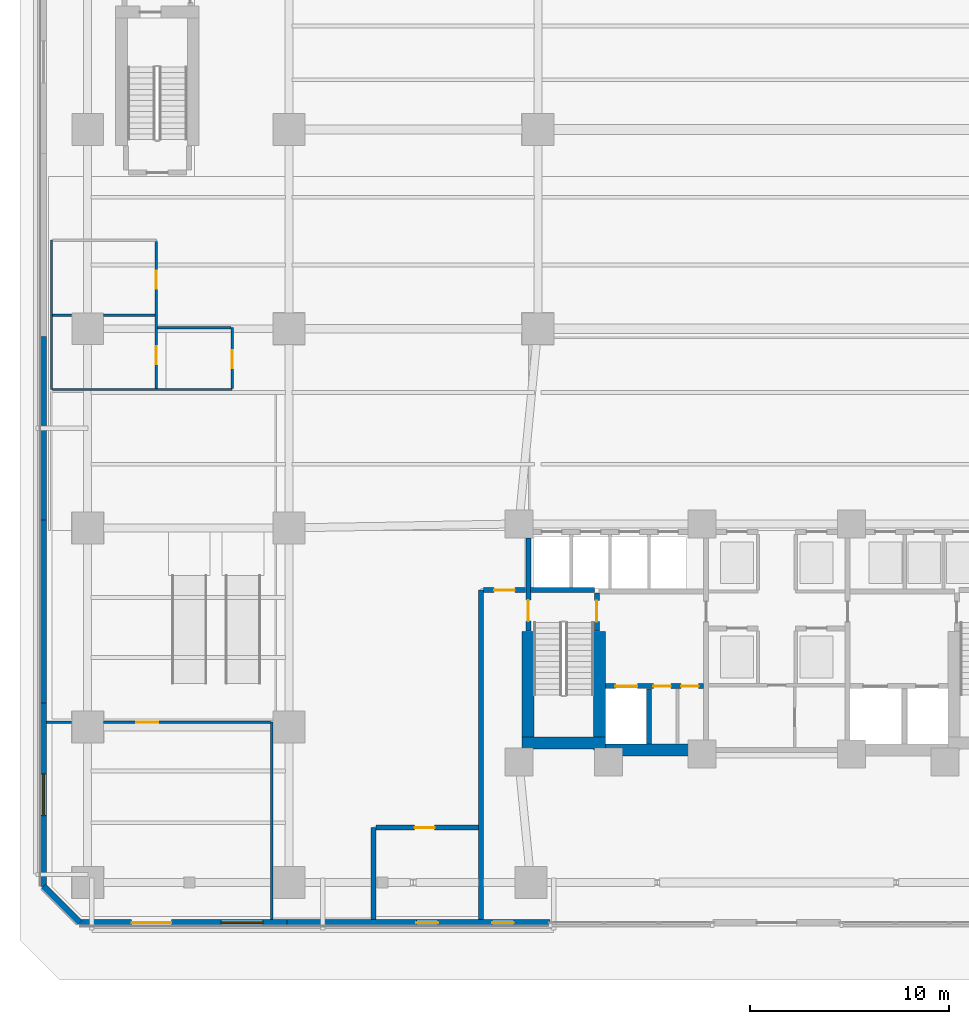
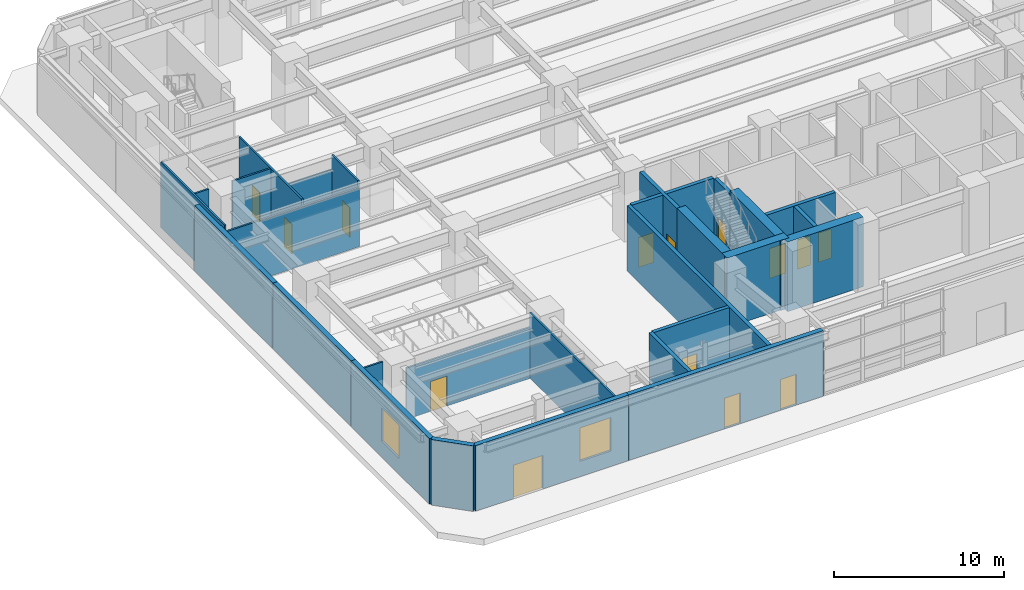
# One storey, part 13 of 26: 29 walls, 14 doors, 2 windows, 16 openings.
"""IFC4 building model written with IfcOpenShell, lengths in metres."""

import ifcopenshell
import ifcopenshell.guid

model = None  # the IFC model being written
_history = None  # IfcOwnerHistory: only IFC2X3 demands one
_inside = {}  # id of a spatial element -> (the spatial element, [elements in it])
_under = {}  # id of a project, library or spatial element -> (it, [spatial elements below it])
_declared = {}  # id of a project -> (the project, [libraries it declares])
_typed = {}  # id of a type object -> (the type object, [elements of that type])
_made_of = {}  # id of a material, layer set ... -> (it, [elements and type objects made of it])


def new_model(schema):
    """Start an empty IFC model of exactly this schema.

    Asked for "IFC4X3", IfcOpenShell would pick the latest addendum, in which some entities
    have other attributes; the version numbers below select the first issue.
    IFC2X3 requires an IfcOwnerHistory on every rooted entity: one is made here for all.
    """
    global model, _history
    if schema == "IFC4X3":
        model = ifcopenshell.file(schema_version=(4, 3, 0, 0))
    else:
        model = ifcopenshell.file(schema=schema)
    _inside.clear()
    _under.clear()
    _declared.clear()
    _typed.clear()
    _made_of.clear()
    _history = None
    if model.schema == "IFC2X3":
        org = make("IfcOrganization", Name="unknown")
        user = make(
            "IfcPersonAndOrganization",
            ThePerson=make("IfcPerson", FamilyName="unknown"),
            TheOrganization=org,
        )
        app = make(
            "IfcApplication",
            ApplicationDeveloper=org,
            Version="unknown",
            ApplicationFullName="unknown",
            ApplicationIdentifier="unknown",
        )
        _history = make(
            "IfcOwnerHistory",
            OwningUser=user,
            OwningApplication=app,
            ChangeAction="ADDED",
            CreationDate=0,
        )
    return model


def make(cls, **values):
    """One entity of the class cls with the attributes given. An attribute that is None is left unset."""
    return model.create_entity(
        cls, **{name: value for name, value in values.items() if value is not None}
    )


def rooted(cls, **values):
    """An entity with a GlobalId (a new one), such as an element, a storey or a relation."""
    return make(cls, GlobalId=ifcopenshell.guid.new(), OwnerHistory=_history, **values)


def si_unit(unit_type, name, prefix=None):
    """IfcSIUnit, for example si_unit("LENGTHUNIT", "METRE", prefix="MILLI")."""
    return make("IfcSIUnit", UnitType=unit_type, Prefix=prefix, Name=name)


def assignment(units):
    """IfcUnitAssignment: the units of a project."""
    return None if units is None else make("IfcUnitAssignment", Units=units)


def point(xyz):
    """IfcCartesianPoint."""
    return None if xyz is None else make("IfcCartesianPoint", Coordinates=xyz)


def direction(xyz):
    """IfcDirection."""
    return None if xyz is None else make("IfcDirection", DirectionRatios=xyz)


def frame(location, z_axis=None, x_axis=None):
    """IfcAxis2Placement3D, a coordinate frame: its origin and axes. An axis left out is left unset."""
    return make(
        "IfcAxis2Placement3D",
        Location=point(location),
        Axis=direction(z_axis),
        RefDirection=direction(x_axis),
    )


def frame_2d(location, x_axis=None):
    """IfcAxis2Placement2D, a coordinate frame in the plane: its origin and x axis."""
    return make(
        "IfcAxis2Placement2D", Location=point(location), RefDirection=direction(x_axis)
    )


def origin():
    """The frame at (0, 0, 0) with its axes left unset."""
    return frame((0.0, 0.0, 0.0))


def place(relative_to, where):
    """IfcLocalPlacement: puts the frame where relative to a parent placement (None: the world)."""
    return make(
        "IfcLocalPlacement", PlacementRelTo=relative_to, RelativePlacement=where
    )


def context(
    kind, dimensions, precision=None, world=None, true_north=None, identifier=None
):
    """IfcGeometricRepresentationContext, for example the 3D "Model" context."""
    return make(
        "IfcGeometricRepresentationContext",
        ContextIdentifier=identifier,
        ContextType=kind,
        CoordinateSpaceDimension=dimensions,
        Precision=precision,
        WorldCoordinateSystem=world,
        TrueNorth=true_north,
    )


def subcontext(parent, identifier, kind, view, scale=None):
    """IfcGeometricRepresentationSubContext, for example "Body" below "Model"."""
    return make(
        "IfcGeometricRepresentationSubContext",
        ContextIdentifier=identifier,
        ContextType=kind,
        ParentContext=parent,
        TargetScale=scale,
        TargetView=view,
    )


def project(units=None, contexts=None):
    """IfcProject with its units and contexts."""
    return rooted(
        "IfcProject",
        Name="project",
        RepresentationContexts=contexts,
        UnitsInContext=assignment(units),
    )


def spatial(cls, under=None, at=None, **own):
    """A site, building, storey or space (cls), placed at a placement, below another one or the project."""
    s = rooted(cls, ObjectPlacement=at, **own)
    if under is not None:
        _under.setdefault(under.id(), (under, []))[1].append(s)
    return s


def profile(cls, at=None, kind="AREA", **sizes):
    """A parametric profile (cls). Its sizes go by their IFC names, for example OverallWidth=200.0."""
    return make(cls, ProfileType=kind, Position=at, **sizes)


def rectangle(**sizes):
    """IfcRectangleProfileDef."""
    return profile("IfcRectangleProfileDef", **sizes)


def extrude(swept, where, along, depth):
    """IfcExtrudedAreaSolid: the profile swept, set in the frame where, extruded along a direction by depth."""
    return make(
        "IfcExtrudedAreaSolid",
        SweptArea=swept,
        Position=where,
        ExtrudedDirection=direction(along),
        Depth=depth,
    )


def shape(context_of_items, identifier, shape_type, items):
    """IfcShapeRepresentation: the items that make up one representation, for example the "Body"."""
    return make(
        "IfcShapeRepresentation",
        ContextOfItems=context_of_items,
        RepresentationIdentifier=identifier,
        RepresentationType=shape_type,
        Items=items,
    )


def material(Name=None, Category=None):
    """IfcMaterial."""
    return make("IfcMaterial", Name=Name, Category=Category)


def layer(
    of_material, thickness, ventilated=None, Name=None, Category=None, Priority=None
):
    """IfcMaterialLayer: one layer of a wall or slab, of a material (None: an air gap)."""
    return make(
        "IfcMaterialLayer",
        Material=of_material,
        LayerThickness=thickness,
        IsVentilated=ventilated,
        Name=Name,
        Category=Category,
        Priority=Priority,
    )


def layer_set(layers, Name=None):
    """IfcMaterialLayerSet."""
    return make("IfcMaterialLayerSet", MaterialLayers=layers, LayerSetName=Name)


def made_of(thing, what):
    """Note that an element or type object is made of a material, layer set ...; save() writes the relation."""
    if what is not None:
        _made_of.setdefault(what.id(), (what, []))[1].append(thing)
    return thing


def type_object(cls, material=None, **own):
    """A type object (cls), such as IfcWallType, which elements share."""
    return made_of(rooted(cls, **own), material)


def element(
    cls,
    number,
    at=None,
    inside=None,
    cuts=None,
    type_object=None,
    material=None,
    context=None,
    identifier="Body",
    shape_type=None,
    held_by="IfcProductDefinitionShape",
    body=None,
    shapes=None,
    **own,
):
    """One element of the class cls, such as IfcWall. Its Tag is "e" and its number.

    at: its placement. inside: the storey or other place that contains it. cuts: it is an
    opening in that element (IfcRelVoidsElement). A single representation is given by context,
    identifier, shape_type and body (its items); several are given by shapes. held_by: the class
    of the entity that holds the representations. save() writes the other relations.
    """
    e = rooted(cls, Tag="e%d" % number, ObjectPlacement=at, **own)
    if body is not None:
        shapes = [shape(context, identifier, shape_type, body)]
    if shapes is not None:
        e.Representation = make(held_by, Representations=shapes)
    if inside is not None:
        _inside.setdefault(inside.id(), (inside, []))[1].append(e)
    if cuts is not None:
        rooted(
            "IfcRelVoidsElement", RelatingBuildingElement=cuts, RelatedOpeningElement=e
        )
    if type_object is not None:
        _typed.setdefault(type_object.id(), (type_object, []))[1].append(e)
    return made_of(e, material)


def fill(opening, filler):
    """IfcRelFillsElement: the door or window that sits in an opening."""
    return rooted(
        "IfcRelFillsElement",
        RelatingOpeningElement=opening,
        RelatedBuildingElement=filler,
    )


def aggregate(whole, parts):
    """IfcRelAggregates: a whole, such as a stair, and the parts it consists of."""
    return rooted("IfcRelAggregates", RelatingObject=whole, RelatedObjects=parts)


def save(model, path):
    """Write the relations noted so far, then the file.

    IfcRelAggregates (storeys below a building ...), IfcRelContainedInSpatialStructure (elements
    in a storey), IfcRelDefinesByType, IfcRelAssociatesMaterial and IfcRelDeclares: one each for
    every whole, place, type object, material and project.
    """
    for whole, parts in _under.values():
        aggregate(whole, parts)
    for where, things in _inside.values():
        rooted(
            "IfcRelContainedInSpatialStructure",
            RelatedElements=things,
            RelatingStructure=where,
        )
    for kind, things in _typed.values():
        rooted("IfcRelDefinesByType", RelatedObjects=things, RelatingType=kind)
    for what, things in _made_of.values():
        rooted("IfcRelAssociatesMaterial", RelatedObjects=things, RelatingMaterial=what)
    for by, libraries in _declared.values():
        rooted("IfcRelDeclares", RelatingContext=by, RelatedDefinitions=libraries)
    model.write(path)


model = new_model("IFC4")

# Units and contexts
model_context = context("Model", 3, precision=1e-05, world=origin(), true_north=direction((0.0, 1.0)))
body_context = subcontext(model_context, "Body", "Model", "MODEL_VIEW")
ifc_project = project(units=[si_unit("LENGTHUNIT", "METRE"), si_unit("AREAUNIT", "SQUARE_METRE"), si_unit("VOLUMEUNIT", "CUBIC_METRE"), si_unit("PLANEANGLEUNIT", "RADIAN"), si_unit("MASSUNIT", "GRAM", prefix="KILO")], contexts=[model_context])

# Site, building, storey
site_placement = place(None, origin())
site = spatial("IfcSite", under=ifc_project, at=site_placement, CompositionType="ELEMENT")
building_placement = place(site_placement, origin())
building = spatial("IfcBuilding", under=site, at=building_placement, Name="Quenlor Broadcast Tower", CompositionType="ELEMENT")
storey_placement = place(building_placement, origin())
storey = spatial("IfcBuildingStorey", under=building, at=storey_placement, Name="L00", CompositionType="ELEMENT", Elevation=0.0)

# Walls
ifc_material_1 = material(Name="Concrete C65/80", Category="concrete")
ifc_layer_1 = layer(ifc_material_1, 0.60009765625)
ifc_layer_set_1 = layer_set([ifc_layer_1], Name="Core Concrete C65/80 Shear Wall 600")
wall_type_1 = type_object("IfcWallType", Name="Core Concrete C65/80 Shear Wall 600", PredefinedType="SHEAR", material=ifc_layer_set_1)
wall_1_placement = place(storey_placement, frame((-12.800048828125, -15.800048828125, 0.0), z_axis=(0.0, 0.0, 1.0), x_axis=(1.0, 0.0, 0.0)))
element("IfcWall", 1, at=wall_1_placement, inside=storey, type_object=wall_type_1, Name="L00 Core Shear Wall WS-W1", PredefinedType="SHEAR", context=body_context, shape_type="SweptSolid", body=[
    extrude(rectangle(XDim=4.199951171875, YDim=0.60009765625, at=frame_2d((2.10009765625, 0.0))), origin(), (0.0, 0.0, 1.0), 5.0),
])
wall_2_placement = place(storey_placement, frame((-8.89990234375, -16.14990234375, 0.0), z_axis=(0.0, 0.0, 1.0), x_axis=(1.0, 0.0, 0.0)))
element("IfcWall", 2, at=wall_2_placement, inside=storey, type_object=wall_type_1, Name="L00 Core Shear Wall WS-W2", PredefinedType="SHEAR", context=body_context, shape_type="SweptSolid", body=[
    extrude(rectangle(XDim=5.14990234375, YDim=0.60009765625, at=frame_2d((2.574951171875, 0.0))), origin(), (0.0, 0.0, 1.0), 5.0),
])
wall_3_placement = place(storey_placement, frame((-12.5, -15.800048828125, 0.0), z_axis=(0.0, 0.0, 1.0), x_axis=(0.0, 1.0, 0.0)))
element("IfcWall", 3, at=wall_3_placement, inside=storey, type_object=wall_type_1, Name="L00 Core Shear Wall WF-W", PredefinedType="SHEAR", context=body_context, shape_type="SweptSolid", body=[
    extrude(rectangle(XDim=5.60009765625, YDim=0.60009765625, at=frame_2d((2.800048828125, 0.0))), origin(), (0.0, 0.0, 1.0), 5.0),
])
wall_4_placement = place(storey_placement, frame((-8.89990234375, -16.14990234375, 0.0), z_axis=(0.0, 0.0, 1.0), x_axis=(0.0, 1.0, 0.0)))
element("IfcWall", 4, at=wall_4_placement, inside=storey, type_object=wall_type_1, Name="L00 Core Shear Wall WI-W", PredefinedType="SHEAR", context=body_context, shape_type="SweptSolid", body=[
    extrude(rectangle(XDim=5.949951171875, YDim=0.60009765625, at=frame_2d((2.97509765625, 0.0))), origin(), (0.0, 0.0, 1.0), 5.0),
])

# Wall, opening, door
ifc_material_2 = material(Name="Concrete C40/50", Category="concrete")
ifc_layer_2 = layer(ifc_material_2, 0.25)
ifc_layer_set_2 = layer_set([ifc_layer_2], Name="Fire Rated Concrete C40/50 Core Wall 250")
wall_type_2 = type_object("IfcWallType", Name="Fire Rated Concrete C40/50 Core Wall 250", PredefinedType="PARTITIONING", material=ifc_layer_set_2)
wall_5_placement = place(storey_placement, frame((-9.0400390625, -10.179931640625, 0.0), z_axis=(0.0, 0.0, 1.0), x_axis=(0.0, 1.0, 0.0)))
wall_5 = element("IfcWall", 5, at=wall_5_placement, inside=storey, type_object=wall_type_2, Name="L00 Interior Wall CW-ST1-DR", PredefinedType="PARTITIONING", context=body_context, shape_type="SweptSolid", body=[
    extrude(rectangle(XDim=1.89990234375, YDim=0.25, at=frame_2d((0.949951171875, 0.0))), origin(), (0.0, 0.0, 1.0), 4.699951171875),
])
opening_1_placement = place(wall_5_placement, frame((0.47998046875, 0.0, 0.0)))
opening_1 = element("IfcOpeningElement", 6, at=opening_1_placement, cuts=wall_5, Name="Opening FD-1", PredefinedType="OPENING", context=body_context, shape_type="SweptSolid", body=[
    extrude(rectangle(XDim=1.050048828125, YDim=2.14990234375, at=frame_2d((0.52490234375, 1.074951171875))), frame((0.0, 0.135009765625, 0.0), z_axis=(0.0, -1.0, 0.0), x_axis=(1.0, 0.0, 0.0)), (0.0, 0.0, 1.0), 0.27001953125),
])
ifc_material_3 = material(Name="Fire Rated Steel Door Leaf", Category="steel")
door_type_1 = type_object("IfcDoorType", Name="Fire Isolated Stair Door 1050x2150", OperationType="NOTDEFINED", PredefinedType="DOOR", material=ifc_material_3)
door_1_placement = place(opening_1_placement, origin())
door_1 = element("IfcDoor", 7, at=door_1_placement, inside=storey, type_object=door_type_1, Name="L00 Door DR-ST1", OperationType="SINGLE_SWING_LEFT", OverallHeight=2.14990234375, OverallWidth=1.050048828125, PredefinedType="DOOR", context=body_context, shape_type="SweptSolid", body=[
    extrude(rectangle(XDim=1.050048828125, YDim=2.14990234375, at=frame_2d((0.52490234375, 1.074951171875))), frame((0.0, 0.02490234375, 0.0), z_axis=(0.0, -1.0, 0.0), x_axis=(1.0, 0.0, 0.0)), (0.0, 0.0, 1.0), 0.050048828125),
])
fill(opening_1, door_1)

# Wall
wall_6_placement = place(storey_placement, frame((-12.3798828125, -8.1201171875, 0.0), z_axis=(0.0, 0.0, 1.0), x_axis=(1.0, 0.0, 0.0)))
element("IfcWall", 8, at=wall_6_placement, inside=storey, type_object=wall_type_2, Name="L00 Interior Wall CW-ST1-N", PredefinedType="PARTITIONING", context=body_context, shape_type="SweptSolid", body=[
    extrude(rectangle(XDim=3.219970703125, YDim=0.25, at=frame_2d((1.60986328125, 0.0))), origin(), (0.0, 0.0, 1.0), 4.699951171875),
])

# Wall, opening, door
wall_7_placement = place(storey_placement, frame((-12.47998046875, -10.179931640625, 0.0), z_axis=(0.0, 0.0, 1.0), x_axis=(0.0, 1.0, 0.0)))
wall_7 = element("IfcWall", 9, at=wall_7_placement, inside=storey, type_object=wall_type_2, Name="L00 Interior Wall CW-ST1-W2", PredefinedType="PARTITIONING", context=body_context, shape_type="SweptSolid", body=[
    extrude(rectangle(XDim=4.677978515625, YDim=0.25, at=frame_2d((2.3388671875, 0.0))), origin(), (0.0, 0.0, 1.0), 4.699951171875),
])
opening_2_placement = place(wall_7_placement, frame((0.5, 0.0, 0.0)))
opening_2 = element("IfcOpeningElement", 10, at=opening_2_placement, cuts=wall_7, Name="Opening FD-1", PredefinedType="OPENING", context=body_context, shape_type="SweptSolid", body=[
    extrude(rectangle(XDim=1.050048828125, YDim=2.14990234375, at=frame_2d((0.52490234375, 1.074951171875))), frame((0.0, 0.135009765625, 0.0), z_axis=(0.0, -1.0, 0.0), x_axis=(1.0, 0.0, 0.0)), (0.0, 0.0, 1.0), 0.27001953125),
])
door_2_placement = place(opening_2_placement, origin())
door_2 = element("IfcDoor", 11, at=door_2_placement, inside=storey, type_object=door_type_1, Name="L00 Exit Stair ST-1 Discharge Door to Exit Passage West", OperationType="SINGLE_SWING_LEFT", OverallHeight=2.14990234375, OverallWidth=1.050048828125, PredefinedType="DOOR", context=body_context, shape_type="SweptSolid", body=[
    extrude(rectangle(XDim=1.050048828125, YDim=2.14990234375, at=frame_2d((0.52490234375, 1.074951171875))), frame((0.0, 0.02490234375, 0.0), z_axis=(0.0, -1.0, 0.0), x_axis=(1.0, 0.0, 0.0)), (0.0, 0.0, 1.0), 0.050048828125),
])
fill(opening_2, door_2)

# Wall, openings, doors
wall_8_placement = place(storey_placement, frame((-8.597900390625, -12.949951171875, 0.0), z_axis=(0.0, 0.0, 1.0), x_axis=(1.0, 0.0, 0.0)))
wall_8 = element("IfcWall", 12, at=wall_8_placement, inside=storey, type_object=wall_type_2, Name="L00 Interior Wall CW-FFW-S", PredefinedType="PARTITIONING", context=body_context, shape_type="SweptSolid", body=[
    extrude(rectangle(XDim=4.91796875, YDim=0.25, at=frame_2d((2.458984375, 0.0))), origin(), (0.0, 0.0, 1.0), 4.699951171875),
])
opening_3_placement = place(wall_8_placement, frame((0.498046875, 0.0, 0.0)))
opening_3 = element("IfcOpeningElement", 13, at=opening_3_placement, cuts=wall_8, Name="Opening LD-FFL-1", PredefinedType="OPENING", context=body_context, shape_type="SweptSolid", body=[
    extrude(rectangle(XDim=1.10009765625, YDim=2.14990234375, at=frame_2d((0.550048828125, 1.074951171875))), frame((0.0, 0.135009765625, 0.0), z_axis=(0.0, -1.0, 0.0), x_axis=(1.0, 0.0, 0.0)), (0.0, 0.0, 1.0), 0.27001953125),
])
opening_4_placement = place(wall_8_placement, frame((2.39794921875, 0.0, 0.0)))
opening_4 = element("IfcOpeningElement", 14, at=opening_4_placement, cuts=wall_8, Name="Opening TD-1", PredefinedType="OPENING", context=body_context, shape_type="SweptSolid", body=[
    extrude(rectangle(XDim=0.8798828125, YDim=2.10009765625, at=frame_2d((0.43994140625, 1.050048828125))), frame((0.0, 0.135009765625, 0.0), z_axis=(0.0, -1.0, 0.0), x_axis=(1.0, 0.0, 0.0)), (0.0, 0.0, 1.0), 0.27001953125),
])
opening_5_placement = place(wall_8_placement, frame((3.798095703125, 0.0, 0.0)))
opening_5 = element("IfcOpeningElement", 15, at=opening_5_placement, cuts=wall_8, Name="Opening TD-1", PredefinedType="OPENING", context=body_context, shape_type="SweptSolid", body=[
    extrude(rectangle(XDim=0.8798828125, YDim=2.10009765625, at=frame_2d((0.43994140625, 1.050048828125))), frame((0.0, 0.135009765625, 0.0), z_axis=(0.0, -1.0, 0.0), x_axis=(1.0, 0.0, 0.0)), (0.0, 0.0, 1.0), 0.27001953125),
])
ifc_material_4 = material(Name="Brushed Stainless Steel", Category="steel")
door_type_2 = type_object("IfcDoorType", Name="Emergency Lift Sliding Landing Door 1100x2150", OperationType="NOTDEFINED", PredefinedType="DOOR", material=ifc_material_4)
door_3_placement = place(opening_3_placement, origin())
door_3 = element("IfcDoor", 16, at=door_3_placement, inside=storey, type_object=door_type_2, Name="L00 Door LD-FFL-1", OperationType="SLIDING_TO_LEFT", OverallHeight=2.14990234375, OverallWidth=1.10009765625, PredefinedType="DOOR", context=body_context, shape_type="SweptSolid", body=[
    extrude(rectangle(XDim=1.10009765625, YDim=2.14990234375, at=frame_2d((0.550048828125, 1.074951171875))), frame((0.0, 0.02490234375, 0.0), z_axis=(0.0, -1.0, 0.0), x_axis=(1.0, 0.0, 0.0)), (0.0, 0.0, 1.0), 0.050048828125),
])
fill(opening_3, door_3)
ifc_material_5 = material(Name="Fire Rated Steel Access Panel", Category="steel")
door_type_3 = type_object("IfcDoorType", Name="Riser Shaft Rated Access Trapdoor 880x2100", OperationType="NOTDEFINED", PredefinedType="TRAPDOOR", material=ifc_material_5)
door_4_placement = place(opening_4_placement, origin())
door_4 = element("IfcDoor", 17, at=door_4_placement, inside=storey, type_object=door_type_3, Name="L00 Door DR-ELR", OperationType="SINGLE_SWING_LEFT", OverallHeight=2.10009765625, OverallWidth=0.8798828125, PredefinedType="TRAPDOOR", context=body_context, shape_type="SweptSolid", body=[
    extrude(rectangle(XDim=0.8798828125, YDim=2.10009765625, at=frame_2d((0.43994140625, 1.050048828125))), frame((0.0, 0.02490234375, 0.0), z_axis=(0.0, -1.0, 0.0), x_axis=(1.0, 0.0, 0.0)), (0.0, 0.0, 1.0), 0.050048828125),
])
fill(opening_4, door_4)
door_5_placement = place(opening_5_placement, origin())
door_5 = element("IfcDoor", 18, at=door_5_placement, inside=storey, type_object=door_type_3, Name="L00 Door DR-CMR", OperationType="SINGLE_SWING_RIGHT", OverallHeight=2.10009765625, OverallWidth=0.8798828125, PredefinedType="TRAPDOOR", context=body_context, shape_type="SweptSolid", body=[
    extrude(rectangle(XDim=0.8798828125, YDim=2.10009765625, at=frame_2d((0.43994140625, 1.050048828125))), frame((0.0, 0.02490234375, 0.0), z_axis=(0.0, -1.0, 0.0), x_axis=(1.0, 0.0, 0.0)), (0.0, 0.0, 1.0), 0.050048828125),
])
fill(opening_5, door_5)

# Walls
wall_9_placement = place(storey_placement, frame((-6.419921875, -15.847900390625, 0.0), z_axis=(0.0, 0.0, 1.0), x_axis=(0.0, 1.0, 0.0)))
element("IfcWall", 19, at=wall_9_placement, inside=storey, type_object=wall_type_2, Name="L00 Interior Wall CW-FF1-E", PredefinedType="PARTITIONING", context=body_context, shape_type="SweptSolid", body=[
    extrude(rectangle(XDim=2.7578125, YDim=0.25, at=frame_2d((1.37890625, 0.0))), origin(), (0.0, 0.0, 1.0), 4.699951171875),
])
wall_10_placement = place(storey_placement, frame((-14.85009765625, -24.657958984375, 0.0), z_axis=(0.0, 0.0, 1.0), x_axis=(0.0, 1.0, 0.0)))
element("IfcWall", 20, at=wall_10_placement, inside=storey, type_object=wall_type_2, Name="L00 Interior Wall PW-L00-EXW", PredefinedType="PARTITIONING", context=body_context, shape_type="SweptSolid", body=[
    extrude(rectangle(XDim=16.537841796875, YDim=0.25, at=frame_2d((8.26904296875, 0.0))), origin(), (0.0, 0.0, 1.0), 4.699951171875),
])

# Wall, opening, door
wall_11_placement = place(storey_placement, frame((-14.719970703125, -8.1201171875, 0.0), z_axis=(0.0, 0.0, 1.0), x_axis=(1.0, 0.0, 0.0)))
wall_11 = element("IfcWall", 21, at=wall_11_placement, inside=storey, type_object=wall_type_2, Name="L00 Interior Wall PW-L00-EXWN", PredefinedType="PARTITIONING", context=body_context, shape_type="SweptSolid", body=[
    extrude(rectangle(XDim=2.113037109375, YDim=0.25, at=frame_2d((1.056640625, 0.0))), origin(), (0.0, 0.0, 1.0), 4.699951171875),
])
opening_6_placement = place(wall_11_placement, frame((0.52001953125, 0.0, 0.0)))
opening_6 = element("IfcOpeningElement", 22, at=opening_6_placement, cuts=wall_11, Name="Opening FD-1", PredefinedType="OPENING", context=body_context, shape_type="SweptSolid", body=[
    extrude(rectangle(XDim=1.050048828125, YDim=2.14990234375, at=frame_2d((0.52490234375, 1.074951171875))), frame((0.0, 0.135009765625, 0.0), z_axis=(0.0, -1.0, 0.0), x_axis=(1.0, 0.0, 0.0)), (0.0, 0.0, 1.0), 0.27001953125),
])
door_6_placement = place(opening_6_placement, origin())
door_6 = element("IfcDoor", 23, at=door_6_placement, inside=storey, type_object=door_type_1, Name="L00 Door DR-L00-EXWN", OperationType="SINGLE_SWING_LEFT", OverallHeight=2.14990234375, OverallWidth=1.050048828125, PredefinedType="DOOR", context=body_context, shape_type="SweptSolid", body=[
    extrude(rectangle(XDim=1.050048828125, YDim=2.14990234375, at=frame_2d((0.52490234375, 1.074951171875))), frame((0.0, 0.02490234375, 0.0), z_axis=(0.0, -1.0, 0.0), x_axis=(1.0, 0.0, 0.0)), (0.0, 0.0, 1.0), 0.050048828125),
])
fill(opening_6, door_6)

# Wall
wall_12_placement = place(storey_placement, frame((-20.25, -24.657958984375, 0.0), z_axis=(0.0, 0.0, 1.0), x_axis=(0.0, 1.0, 0.0)))
element("IfcWall", 24, at=wall_12_placement, inside=storey, type_object=wall_type_2, Name="L00 Interior Wall PW-L00-FCRW", PredefinedType="PARTITIONING", context=body_context, shape_type="SweptSolid", body=[
    extrude(rectangle(XDim=4.60791015625, YDim=0.25, at=frame_2d((2.303955078125, 0.0))), origin(), (0.0, 0.0, 1.0), 4.699951171875),
])

# Wall, opening, door
wall_13_placement = place(storey_placement, frame((-20.123046875, -20.050048828125, 0.0), z_axis=(0.0, 0.0, 1.0), x_axis=(1.0, 0.0, 0.0)))
wall_13 = element("IfcWall", 25, at=wall_13_placement, inside=storey, type_object=wall_type_2, Name="L00 Interior Wall PW-L00-FCRN", PredefinedType="PARTITIONING", context=body_context, shape_type="SweptSolid", body=[
    extrude(rectangle(XDim=5.14306640625, YDim=0.25, at=frame_2d((2.571533203125, 0.0))), origin(), (0.0, 0.0, 1.0), 4.699951171875),
])
opening_7_placement = place(wall_13_placement, frame((1.943115234375, 0.0, 0.0)))
opening_7 = element("IfcOpeningElement", 26, at=opening_7_placement, cuts=wall_13, Name="Opening FD-2", PredefinedType="OPENING", context=body_context, shape_type="SweptSolid", body=[
    extrude(rectangle(XDim=1.0, YDim=2.14990234375, at=frame_2d((0.5, 1.074951171875))), frame((0.0, 0.135009765625, 0.0), z_axis=(0.0, -1.0, 0.0), x_axis=(1.0, 0.0, 0.0)), (0.0, 0.0, 1.0), 0.27001953125),
])
ifc_material_6 = material(Name="Fire Rated Glazed Steel Door", Category="steel")
door_type_4 = type_object("IfcDoorType", Name="Firefighting Lobby Smoke Door 1000x2150", OperationType="NOTDEFINED", PredefinedType="DOOR", material=ifc_material_6)
door_7_placement = place(opening_7_placement, origin())
door_7 = element("IfcDoor", 27, at=door_7_placement, inside=storey, type_object=door_type_4, Name="L00 Door DR-L00-FCR", OperationType="SINGLE_SWING_LEFT", OverallHeight=2.14990234375, OverallWidth=1.0, PredefinedType="DOOR", context=body_context, shape_type="SweptSolid", body=[
    extrude(rectangle(XDim=1.0, YDim=2.14990234375, at=frame_2d((0.5, 1.074951171875))), frame((0.0, 0.02490234375, 0.0), z_axis=(0.0, -1.0, 0.0), x_axis=(1.0, 0.0, 0.0)), (0.0, 0.0, 1.0), 0.050048828125),
])
fill(opening_7, door_7)

# Walls
ifc_material_7 = material(Name="Gypsum Plasterboard Partition", Category="other")
ifc_layer_3 = layer(ifc_material_7, 0.1201171875)
ifc_layer_set_3 = layer_set([ifc_layer_3], Name="Standard Office Partition 120")
wall_type_3 = type_object("IfcWallType", Name="Standard Office Partition 120", PredefinedType="PARTITIONING", material=ifc_layer_set_3)
wall_14_placement = place(storey_placement, frame((-25.35009765625, -24.657958984375, 0.0), z_axis=(0.0, 0.0, 1.0), x_axis=(0.0, 1.0, 0.0)))
element("IfcWall", 28, at=wall_14_placement, inside=storey, type_object=wall_type_3, Name="L00 Interior Wall PW-L00-RETE", PredefinedType="PARTITIONING", context=body_context, shape_type="SweptSolid", body=[
    extrude(rectangle(XDim=9.907958984375, YDim=0.1201171875, at=frame_2d((4.9541015625, 0.0))), origin(), (0.0, 0.0, 1.0), 4.699951171875),
])
wall_15_placement = place(storey_placement, frame((-36.659912109375, -14.75, 0.0), z_axis=(0.0, 0.0, 1.0), x_axis=(1.0, 0.0, 0.0)))
element("IfcWall", 29, at=wall_15_placement, inside=storey, type_object=wall_type_3, Name="L00 Interior Wall PW-L00-RETN", PredefinedType="PARTITIONING", context=body_context, shape_type="SweptSolid", body=[
    extrude(rectangle(XDim=1.2578125, YDim=0.1201171875, at=frame_2d((0.62890625, 0.0))), origin(), (0.0, 0.0, 1.0), 4.699951171875),
])

# Wall, opening, door
wall_16_placement = place(storey_placement, frame((-33.798095703125, -14.75, 0.0), z_axis=(0.0, 0.0, 1.0), x_axis=(1.0, 0.0, 0.0)))
wall_16 = element("IfcWall", 30, at=wall_16_placement, inside=storey, type_object=wall_type_3, Name="L00 Interior Wall PW-L00-RETNS2", PredefinedType="PARTITIONING", context=body_context, shape_type="SweptSolid", body=[
    extrude(rectangle(XDim=8.385986328125, YDim=0.1201171875, at=frame_2d((4.19287109375, 0.0))), origin(), (0.0, 0.0, 1.0), 3.676025390625),
])
opening_8_placement = place(wall_16_placement, frame((1.637939453125, 0.0, 0.0)))
opening_8 = element("IfcOpeningElement", 31, at=opening_8_placement, cuts=wall_16, Name="Opening ID-2", PredefinedType="OPENING", context=body_context, shape_type="SweptSolid", body=[
    extrude(rectangle(XDim=1.10009765625, YDim=2.14990234375, at=frame_2d((0.550048828125, 1.074951171875))), frame((0.0, 0.070068359375, 0.0), z_axis=(0.0, -1.0, 0.0), x_axis=(1.0, 0.0, 0.0)), (0.0, 0.0, 1.0), 0.14013671875),
])
ifc_material_8 = material(Name="Acoustic Laminated Timber Oak", Category="wood")
door_type_5 = type_object("IfcDoorType", Name="Wide Studio Acoustic Timber Door 1100x2150", OperationType="NOTDEFINED", PredefinedType="DOOR", material=ifc_material_8)
door_8_placement = place(opening_8_placement, origin())
door_8 = element("IfcDoor", 32, at=door_8_placement, inside=storey, type_object=door_type_5, Name="L00 Door DR-L00-RET", OperationType="SINGLE_SWING_LEFT", OverallHeight=2.14990234375, OverallWidth=1.10009765625, PredefinedType="DOOR", context=body_context, shape_type="SweptSolid", body=[
    extrude(rectangle(XDim=1.10009765625, YDim=2.14990234375, at=frame_2d((0.550048828125, 1.074951171875))), frame((0.0, 0.02490234375, 0.0), z_axis=(0.0, -1.0, 0.0), x_axis=(1.0, 0.0, 0.0)), (0.0, 0.0, 1.0), 0.050048828125),
])
fill(opening_8, door_8)

# Wall
wall_17_placement = place(storey_placement, frame((-36.419921875, 1.949951171875, 0.0), z_axis=(0.0, 0.0, 1.0), x_axis=(0.0, 1.0, 0.0)))
element("IfcWall", 33, at=wall_17_placement, inside=storey, type_object=wall_type_3, Name="L00 Interior Wall PW-L00-WCW", PredefinedType="PARTITIONING", context=body_context, shape_type="SweptSolid", body=[
    extrude(rectangle(XDim=7.5, YDim=0.1201171875, at=frame_2d((3.75, 0.0))), origin(), (0.0, 0.0, 1.0), 4.699951171875),
])

# Wall, openings, doors
wall_18_placement = place(storey_placement, frame((-31.14990234375, 2.010009765625, 0.0), z_axis=(0.0, 0.0, 1.0), x_axis=(0.0, 1.0, 0.0)))
wall_18 = element("IfcWall", 34, at=wall_18_placement, inside=storey, type_object=wall_type_3, Name="L00 Interior Wall PW-L00-WCE", PredefinedType="PARTITIONING", context=body_context, shape_type="SweptSolid", body=[
    extrude(rectangle(XDim=7.3798828125, YDim=0.1201171875, at=frame_2d((3.68994140625, 0.0))), origin(), (0.0, 0.0, 1.0), 4.699951171875),
])
opening_9_placement = place(wall_18_placement, frame((1.199951171875, 0.0, 0.0)))
opening_9 = element("IfcOpeningElement", 35, at=opening_9_placement, cuts=wall_18, Name="Opening ID-3", PredefinedType="OPENING", context=body_context, shape_type="SweptSolid", body=[
    extrude(rectangle(XDim=0.89990234375, YDim=2.1201171875, at=frame_2d((0.449951171875, 1.06005859375))), frame((0.0, 0.070068359375, 0.0), z_axis=(0.0, -1.0, 0.0), x_axis=(1.0, 0.0, 0.0)), (0.0, 0.0, 1.0), 0.14013671875),
])
opening_10_placement = place(wall_18_placement, frame((5.0, 0.0, 0.0)))
opening_10 = element("IfcOpeningElement", 36, at=opening_10_placement, cuts=wall_18, Name="Opening ID-3", PredefinedType="OPENING", context=body_context, shape_type="SweptSolid", body=[
    extrude(rectangle(XDim=0.89990234375, YDim=2.1201171875, at=frame_2d((0.449951171875, 1.06005859375))), frame((0.0, 0.070068359375, 0.0), z_axis=(0.0, -1.0, 0.0), x_axis=(1.0, 0.0, 0.0)), (0.0, 0.0, 1.0), 0.14013671875),
])
ifc_material_9 = material(Name="Moisture Resistant Timber Oak", Category="wood")
door_type_6 = type_object("IfcDoorType", Name="Washroom Privacy Door 900x2120", OperationType="NOTDEFINED", PredefinedType="DOOR", material=ifc_material_9)
door_9_placement = place(opening_9_placement, origin())
door_9 = element("IfcDoor", 37, at=door_9_placement, inside=storey, type_object=door_type_6, Name="L00 Door DR-L00-MWC", OperationType="SINGLE_SWING_LEFT", OverallHeight=2.1201171875, OverallWidth=0.89990234375, PredefinedType="DOOR", context=body_context, shape_type="SweptSolid", body=[
    extrude(rectangle(XDim=0.89990234375, YDim=2.1201171875, at=frame_2d((0.449951171875, 1.06005859375))), frame((0.0, 0.02490234375, 0.0), z_axis=(0.0, -1.0, 0.0), x_axis=(1.0, 0.0, 0.0)), (0.0, 0.0, 1.0), 0.050048828125),
])
fill(opening_9, door_9)
door_10_placement = place(opening_10_placement, origin())
door_10 = element("IfcDoor", 38, at=door_10_placement, inside=storey, type_object=door_type_6, Name="L00 Door DR-L00-FWC", OperationType="SINGLE_SWING_RIGHT", OverallHeight=2.1201171875, OverallWidth=0.89990234375, PredefinedType="DOOR", context=body_context, shape_type="SweptSolid", body=[
    extrude(rectangle(XDim=0.89990234375, YDim=2.1201171875, at=frame_2d((0.449951171875, 1.06005859375))), frame((0.0, 0.02490234375, 0.0), z_axis=(0.0, -1.0, 0.0), x_axis=(1.0, 0.0, 0.0)), (0.0, 0.0, 1.0), 0.050048828125),
])
fill(opening_10, door_10)

# Walls
wall_19_placement = place(storey_placement, frame((-36.35791015625, 1.949951171875, 0.0), z_axis=(0.0, 0.0, 1.0), x_axis=(1.0, 0.0, 0.0)))
element("IfcWall", 39, at=wall_19_placement, inside=storey, type_object=wall_type_3, Name="L00 Interior Wall PW-L00-WCS", PredefinedType="PARTITIONING", context=body_context, shape_type="SweptSolid", body=[
    extrude(rectangle(XDim=9.0078125, YDim=0.1201171875, at=frame_2d((4.50390625, 0.0))), origin(), (0.0, 0.0, 1.0), 4.24609375),
])
wall_20_placement = place(storey_placement, frame((-36.35791015625, 5.679931640625, 0.0), z_axis=(0.0, 0.0, 1.0), x_axis=(1.0, 0.0, 0.0)))
element("IfcWall", 40, at=wall_20_placement, inside=storey, type_object=wall_type_3, Name="L00 Interior Wall PW-L00-WCM", PredefinedType="PARTITIONING", context=body_context, shape_type="SweptSolid", body=[
    extrude(rectangle(XDim=0.955810546875, YDim=0.1201171875, at=frame_2d((0.47802734375, 0.0))), origin(), (0.0, 0.0, 1.0), 4.699951171875),
])
wall_21_placement = place(storey_placement, frame((-33.798095703125, 5.679931640625, 0.0), z_axis=(0.0, 0.0, 1.0), x_axis=(1.0, 0.0, 0.0)))
element("IfcWall", 41, at=wall_21_placement, inside=storey, type_object=wall_type_3, Name="L00 Interior Wall PW-L00-WCMS2", PredefinedType="PARTITIONING", context=body_context, shape_type="SweptSolid", body=[
    extrude(rectangle(XDim=2.588134765625, YDim=0.1201171875, at=frame_2d((1.2939453125, 0.0))), origin(), (0.0, 0.0, 1.0), 4.699951171875),
])

# Wall, opening, door
wall_22_placement = place(storey_placement, frame((-27.35009765625, 2.011962890625, 0.0), z_axis=(0.0, 0.0, 1.0), x_axis=(0.0, 1.0, 0.0)))
wall_22 = element("IfcWall", 42, at=wall_22_placement, inside=storey, type_object=wall_type_3, Name="L00 Interior Wall PW-L00-AWCE", PredefinedType="PARTITIONING", context=body_context, shape_type="SweptSolid", body=[
    extrude(rectangle(XDim=3.0380859375, YDim=0.1201171875, at=frame_2d((1.51904296875, 0.0))), origin(), (0.0, 0.0, 1.0), 4.699951171875),
])
opening_11_placement = place(wall_22_placement, frame((0.998046875, 0.0, 0.0)))
opening_11 = element("IfcOpeningElement", 43, at=opening_11_placement, cuts=wall_22, Name="Opening ID-3", PredefinedType="OPENING", context=body_context, shape_type="SweptSolid", body=[
    extrude(rectangle(XDim=0.89990234375, YDim=2.1201171875, at=frame_2d((0.449951171875, 1.06005859375))), frame((0.0, 0.070068359375, 0.0), z_axis=(0.0, -1.0, 0.0), x_axis=(1.0, 0.0, 0.0)), (0.0, 0.0, 1.0), 0.14013671875),
])
door_11_placement = place(opening_11_placement, origin())
door_11 = element("IfcDoor", 44, at=door_11_placement, inside=storey, type_object=door_type_6, Name="L00 Door DR-L00-AWC", OperationType="SINGLE_SWING_LEFT", OverallHeight=2.1201171875, OverallWidth=0.89990234375, PredefinedType="DOOR", context=body_context, shape_type="SweptSolid", body=[
    extrude(rectangle(XDim=0.89990234375, YDim=2.1201171875, at=frame_2d((0.449951171875, 1.06005859375))), frame((0.0, 0.02490234375, 0.0), z_axis=(0.0, -1.0, 0.0), x_axis=(1.0, 0.0, 0.0)), (0.0, 0.0, 1.0), 0.050048828125),
])
fill(opening_11, door_11)

# Wall
wall_23_placement = place(storey_placement, frame((-31.087890625, 5.050048828125, 0.0), z_axis=(0.0, 0.0, 1.0), x_axis=(1.0, 0.0, 0.0)))
element("IfcWall", 45, at=wall_23_placement, inside=storey, type_object=wall_type_3, Name="L00 Interior Wall PW-L00-AWCN", PredefinedType="PARTITIONING", context=body_context, shape_type="SweptSolid", body=[
    extrude(rectangle(XDim=3.67578125, YDim=0.1201171875, at=frame_2d((1.837890625, 0.0))), origin(), (0.0, 0.0, 1.0), 3.676025390625),
])

# Wall, openings, doors
ifc_material_10 = material(Name="Precast concrete C40/50", Category="concrete")
ifc_layer_4 = layer(ifc_material_10, 0.320068359375)
ifc_layer_set_4 = layer_set([ifc_layer_4], Name="Station Podium Precast Concrete C40/50 Facade Wall 320")
wall_type_4 = type_object("IfcWallType", Name="Station Podium Precast Concrete C40/50 Facade Wall 320", PredefinedType="STANDARD", material=ifc_layer_set_4)
wall_24_placement = place(storey_placement, frame((-11.39990234375, -24.820068359375, 0.0), z_axis=(0.0, 0.0, 1.0), x_axis=(-1.0, 0.0, 0.0)))
wall_24 = element("IfcWall", 46, at=wall_24_placement, inside=storey, type_object=wall_type_4, Name="L00 Exterior Wall L00-EW-SW", PredefinedType="STANDARD", context=body_context, shape_type="SweptSolid", body=[
    extrude(rectangle(XDim=13.2001953125, YDim=0.320068359375, at=frame_2d((6.60009765625, 0.0))), origin(), (0.0, 0.0, 1.0), 4.699951171875),
])
opening_12_placement = place(wall_24_placement, frame((1.800048828125, 0.0, 0.0)))
opening_12 = element("IfcOpeningElement", 47, at=opening_12_placement, cuts=wall_24, Name="Opening ED-2", PredefinedType="OPENING", context=body_context, shape_type="SweptSolid", body=[
    extrude(rectangle(XDim=1.10009765625, YDim=2.199951171875, at=frame_2d((0.550048828125, 1.10009765625))), frame((0.0, 0.169921875, 0.0), z_axis=(0.0, -1.0, 0.0), x_axis=(1.0, 0.0, 0.0)), (0.0, 0.0, 1.0), 0.340087890625),
])
opening_13_placement = place(wall_24_placement, frame((5.60009765625, 0.0, 0.0)))
opening_13 = element("IfcOpeningElement", 48, at=opening_13_placement, cuts=wall_24, Name="Opening ED-2", PredefinedType="OPENING", context=body_context, shape_type="SweptSolid", body=[
    extrude(rectangle(XDim=1.10009765625, YDim=2.199951171875, at=frame_2d((0.550048828125, 1.10009765625))), frame((0.0, 0.169921875, 0.0), z_axis=(0.0, -1.0, 0.0), x_axis=(1.0, 0.0, 0.0)), (0.0, 0.0, 1.0), 0.340087890625),
])
ifc_material_11 = material(Name="Anodised Aluminium and Toughened Glass", Category="aluminium")
door_type_7 = type_object("IfcDoorType", Name="Ground Final Exit Discharge Door 1100x2200", OperationType="NOTDEFINED", PredefinedType="DOOR", material=ifc_material_11)
door_12_placement = place(opening_12_placement, origin())
door_12 = element("IfcDoor", 49, at=door_12_placement, inside=storey, type_object=door_type_7, Name="L00 Exit Passage West Final Exit Door", OperationType="SINGLE_SWING_RIGHT", OverallHeight=2.199951171875, OverallWidth=1.10009765625, PredefinedType="DOOR", context=body_context, shape_type="SweptSolid", body=[
    extrude(rectangle(XDim=1.10009765625, YDim=2.199951171875, at=frame_2d((0.550048828125, 1.10009765625))), frame((0.0, 0.02490234375, 0.0), z_axis=(0.0, -1.0, 0.0), x_axis=(1.0, 0.0, 0.0)), (0.0, 0.0, 1.0), 0.050048828125),
])
fill(opening_12, door_12)
door_13_placement = place(opening_13_placement, origin())
door_13 = element("IfcDoor", 50, at=door_13_placement, inside=storey, type_object=door_type_7, Name="L00 Fire Control Room Brigade Entrance Door", OperationType="SINGLE_SWING_LEFT", OverallHeight=2.199951171875, OverallWidth=1.10009765625, PredefinedType="DOOR", context=body_context, shape_type="SweptSolid", body=[
    extrude(rectangle(XDim=1.10009765625, YDim=2.199951171875, at=frame_2d((0.550048828125, 1.10009765625))), frame((0.0, 0.02490234375, 0.0), z_axis=(0.0, -1.0, 0.0), x_axis=(1.0, 0.0, 0.0)), (0.0, 0.0, 1.0), 0.050048828125),
])
fill(opening_13, door_13)

# Wall, openings, window, door
wall_25_placement = place(storey_placement, frame((-24.60009765625, -24.820068359375, 0.0), z_axis=(0.0, 0.0, 1.0), x_axis=(-1.0, 0.0, 0.0)))
wall_25 = element("IfcWall", 51, at=wall_25_placement, inside=storey, type_object=wall_type_4, Name="L00 Exterior Wall L00-EW-SWW", PredefinedType="STANDARD", context=body_context, shape_type="SweptSolid", body=[
    extrude(rectangle(XDim=10.39990234375, YDim=0.320068359375, at=frame_2d((5.199951171875, 0.0))), origin(), (0.0, 0.0, 1.0), 4.699951171875),
])
opening_14_placement = place(wall_25_placement, frame((5.800048828125, 0.0, 0.0)))
opening_14 = element("IfcOpeningElement", 52, at=opening_14_placement, cuts=wall_25, Name="Opening ED-1", PredefinedType="OPENING", context=body_context, shape_type="SweptSolid", body=[
    extrude(rectangle(XDim=2.0, YDim=2.39990234375, at=frame_2d((1.0, 1.199951171875))), frame((0.0, 0.169921875, 0.0), z_axis=(0.0, -1.0, 0.0), x_axis=(1.0, 0.0, 0.0)), (0.0, 0.0, 1.0), 0.340087890625),
])
opening_15_placement = place(wall_25_placement, frame((1.199951171875, 0.0, 1.10009765625)))
opening_15 = element("IfcOpeningElement", 53, at=opening_15_placement, cuts=wall_25, Name="Opening WN-4", PredefinedType="OPENING", context=body_context, shape_type="SweptSolid", body=[
    extrude(rectangle(XDim=2.10009765625, YDim=2.39990234375, at=frame_2d((1.050048828125, 1.199951171875))), frame((0.0, 0.169921875, 0.0), z_axis=(0.0, -1.0, 0.0), x_axis=(1.0, 0.0, 0.0)), (0.0, 0.0, 1.0), 0.340087890625),
])
ifc_material_12 = material(Name="Thermally Broken Aluminium and Low-E Glass", Category="aluminium")
window_type = type_object("IfcWindowType", Name="Podium Gallery Acoustic Window 2100x2400", PartitioningType="SINGLE_PANEL", PredefinedType="WINDOW", material=ifc_material_12)
window_1_placement = place(opening_15_placement, origin())
window_1 = element("IfcWindow", 54, at=window_1_placement, inside=storey, type_object=window_type, Name="L00 Concourse Gallery Window SW", OverallHeight=2.39990234375, OverallWidth=2.10009765625, PartitioningType="SINGLE_PANEL", PredefinedType="WINDOW", context=body_context, shape_type="SweptSolid", body=[
    extrude(rectangle(XDim=2.10009765625, YDim=2.39990234375, at=frame_2d((1.050048828125, 1.199951171875))), frame((0.0, 0.030029296875, 0.0), z_axis=(0.0, -1.0, 0.0), x_axis=(1.0, 0.0, 0.0)), (0.0, 0.0, 1.0), 0.06005859375),
])
fill(opening_15, window_1)
ifc_material_13 = material(Name="Anodised Aluminium and Toughened Glass", Category="aluminium")
door_type_8 = type_object("IfcDoorType", Name="Station Concourse Double Glazed Entrance Door 2000x2400", OperationType="NOTDEFINED", PredefinedType="DOOR", material=ifc_material_13)
door_14_placement = place(opening_14_placement, origin())
door_14 = element("IfcDoor", 55, at=door_14_placement, inside=storey, type_object=door_type_8, Name="L00 Station Retail Street Entrance Door", OperationType="DOUBLE_DOOR_SINGLE_SWING", OverallHeight=2.39990234375, OverallWidth=2.0, PredefinedType="DOOR", context=body_context, shape_type="SweptSolid", body=[
    extrude(rectangle(XDim=2.0, YDim=2.39990234375, at=frame_2d((1.0, 1.199951171875))), frame((0.0, 0.02490234375, 0.0), z_axis=(0.0, -1.0, 0.0), x_axis=(1.0, 0.0, 0.0)), (0.0, 0.0, 1.0), 0.050048828125),
])
fill(opening_14, door_14)

# Wall, opening, window
wall_26_placement = place(storey_placement, frame((-36.820068359375, -23.0, 0.0), z_axis=(0.0, 0.0, 1.0), x_axis=(0.0, 1.0, 0.0)))
wall_26 = element("IfcWall", 56, at=wall_26_placement, inside=storey, type_object=wall_type_4, Name="L00 Exterior Wall L00-EW-W1", PredefinedType="STANDARD", context=body_context, shape_type="SweptSolid", body=[
    extrude(rectangle(XDim=9.199951171875, YDim=0.320068359375, at=frame_2d((4.60009765625, 0.0))), origin(), (0.0, 0.0, 1.0), 4.699951171875),
])
opening_16_placement = place(wall_26_placement, frame((3.550048828125, 0.0, 1.10009765625)))
opening_16 = element("IfcOpeningElement", 57, at=opening_16_placement, cuts=wall_26, Name="Opening WN-4", PredefinedType="OPENING", context=body_context, shape_type="SweptSolid", body=[
    extrude(rectangle(XDim=2.10009765625, YDim=2.39990234375, at=frame_2d((1.050048828125, 1.199951171875))), frame((0.0, 0.169921875, 0.0), z_axis=(0.0, -1.0, 0.0), x_axis=(1.0, 0.0, 0.0)), (0.0, 0.0, 1.0), 0.340087890625),
])
window_2_placement = place(opening_16_placement, origin())
window_2 = element("IfcWindow", 58, at=window_2_placement, inside=storey, type_object=window_type, Name="L00 Podium Gallery Window W1", OverallHeight=2.39990234375, OverallWidth=2.10009765625, PartitioningType="SINGLE_PANEL", PredefinedType="WINDOW", context=body_context, shape_type="SweptSolid", body=[
    extrude(rectangle(XDim=2.10009765625, YDim=2.39990234375, at=frame_2d((1.050048828125, 1.199951171875))), frame((0.0, 0.030029296875, 0.0), z_axis=(0.0, -1.0, 0.0), x_axis=(1.0, 0.0, 0.0)), (0.0, 0.0, 1.0), 0.06005859375),
])
fill(opening_16, window_2)

# Walls
wall_27_placement = place(storey_placement, frame((-36.820068359375, -13.800048828125, 0.0), z_axis=(0.0, 0.0, 1.0), x_axis=(0.0, 1.0, 0.0)))
element("IfcWall", 59, at=wall_27_placement, inside=storey, type_object=wall_type_4, Name="L00 Exterior Wall L00-EW-W2", PredefinedType="STANDARD", context=body_context, shape_type="SweptSolid", body=[
    extrude(rectangle(XDim=9.199951171875, YDim=0.320068359375, at=frame_2d((4.60009765625, 0.0))), origin(), (0.0, 0.0, 1.0), 4.699951171875),
])
wall_28_placement = place(storey_placement, frame((-36.820068359375, -4.60009765625, 0.0), z_axis=(0.0, 0.0, 1.0), x_axis=(0.0, 1.0, 0.0)))
element("IfcWall", 60, at=wall_28_placement, inside=storey, type_object=wall_type_4, Name="L00 Exterior Wall L00-EW-W3", PredefinedType="STANDARD", context=body_context, shape_type="SweptSolid", body=[
    extrude(rectangle(XDim=9.2001953125, YDim=0.320068359375, at=frame_2d((4.60009765625, 0.0))), origin(), (0.0, 0.0, 1.0), 4.699951171875),
])
wall_29_placement = place(storey_placement, frame((-35.0, -24.820068359375, 0.0), z_axis=(0.0, 0.0, 1.0), x_axis=(-0.707106781187, 0.707106781187, 0.0)))
element("IfcWall", 61, at=wall_29_placement, inside=storey, type_object=wall_type_4, Name="L00 Exterior Wall L00-EW-CSW", PredefinedType="STANDARD", context=body_context, shape_type="SweptSolid", body=[
    extrude(rectangle(XDim=2.573974609375, YDim=0.320068359375, at=frame_2d((1.287109375, 0.0))), origin(), (0.0, 0.0, 1.0), 4.699951171875),
])

save(model, "model.ifc")
